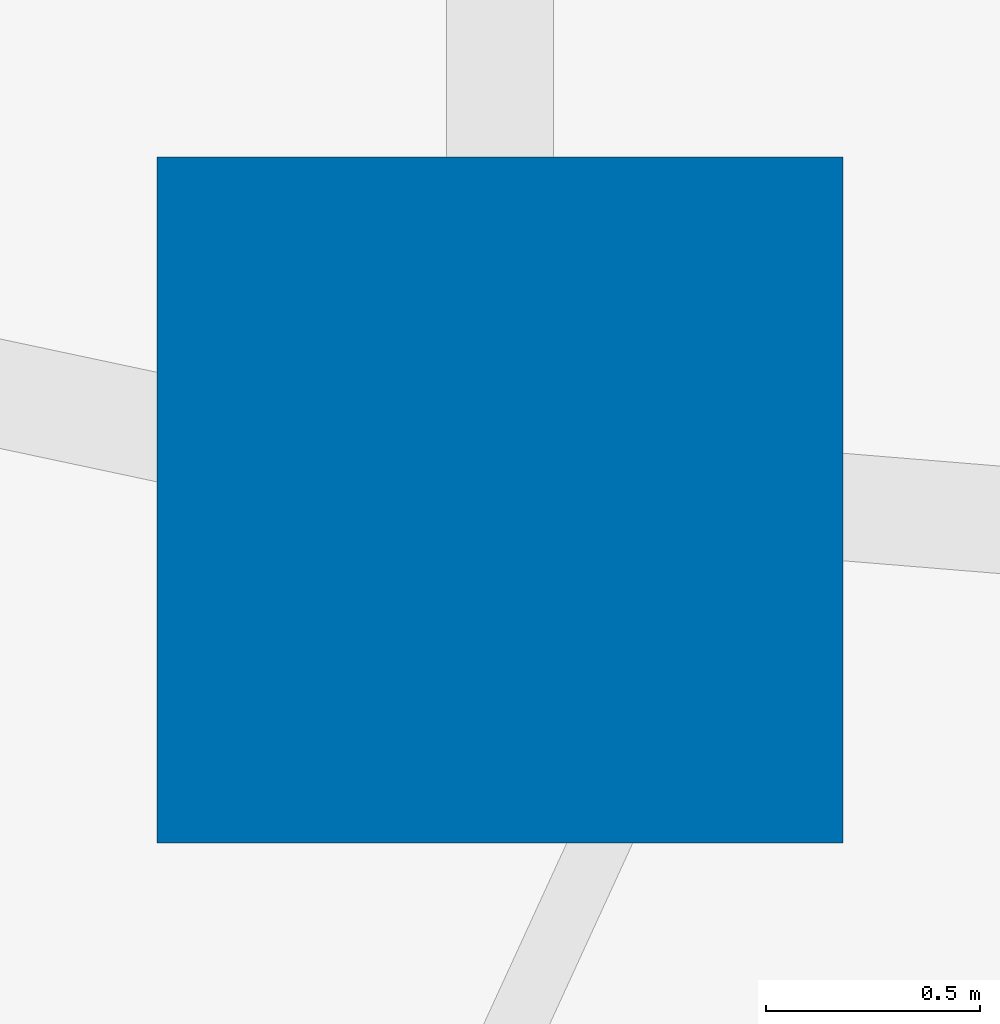
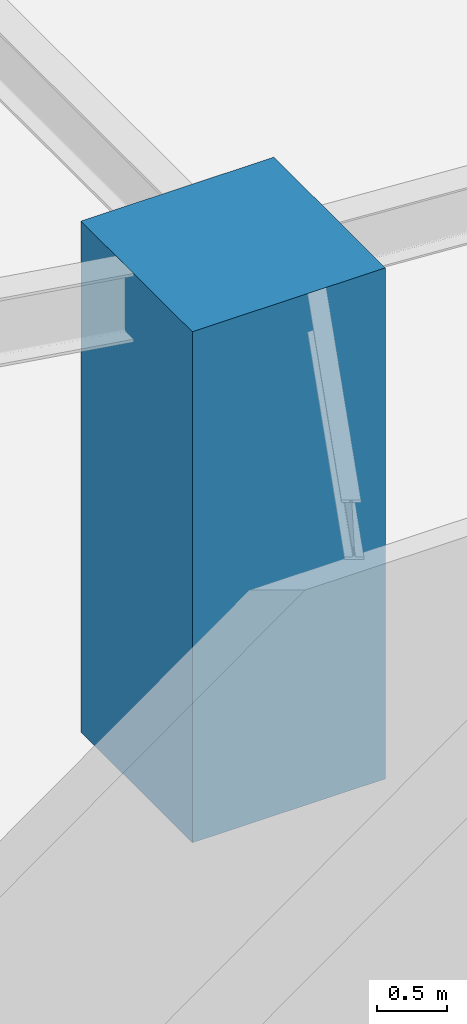
# One storey, part 4 of 31: 1 column.
"""IFC4 building model written with IfcOpenShell, lengths in metres."""

from ifc_helpers import new_model, si_unit, direction, frame, origin, origin_2d, place, context, subcontext, project, spatial, rectangle, extrude, source, transform, mapped, material, material_profile, profile_set, type_object, element, save


model = new_model("IFC4")

# Units and contexts
model_context = context("Model", 3, precision=1e-05, world=origin(), true_north=direction((0.0, 1.0)))
body_context = subcontext(model_context, "Body", "Model", "MODEL_VIEW")
ifc_project = project(units=[si_unit("LENGTHUNIT", "METRE"), si_unit("AREAUNIT", "SQUARE_METRE"), si_unit("VOLUMEUNIT", "CUBIC_METRE"), si_unit("PLANEANGLEUNIT", "RADIAN"), si_unit("MASSUNIT", "GRAM", prefix="KILO")], contexts=[model_context])

# Site, building, storey
site_placement = place(None, origin())
site = spatial("IfcSite", under=ifc_project, at=site_placement, CompositionType="ELEMENT")
building_placement = place(site_placement, origin())
building = spatial("IfcBuilding", under=site, at=building_placement, Name="Sahyath Konkavel Grand Hotel", CompositionType="ELEMENT")
storey_placement = place(building_placement, origin())
storey = spatial("IfcBuildingStorey", under=building, at=storey_placement, Name="L00", CompositionType="ELEMENT", Elevation=0.0)

# Column
ifc_material = material(Name="Concrete C70/85", Category="concrete")
ifc_material_profile = material_profile(ifc_material, rectangle(XDim=1.60009765625, YDim=1.60009765625, at=origin_2d()), Name="RC 1600x1600")
ifc_profile_set = profile_set([ifc_material_profile], Name="Concrete C70/85")
column_type = type_object("IfcColumnType", Name="COL-RC1600", PredefinedType="COLUMN", material=ifc_profile_set)
shared_shape = source(origin(), body_context, "Body", "SweptSolid", [
    extrude(rectangle(XDim=1.60009765625, YDim=1.60009765625, at=origin_2d()), origin(), (0.0, 0.0, 1.0), 4.47998046875),
])
column_placement = place(storey_placement, frame((22.199951171875, -5.949951171875, 0.0), z_axis=(0.0, 0.0, 1.0), x_axis=(1.0, 0.0, 0.0)))
element("IfcColumn", 1, at=column_placement, inside=storey, type_object=column_type, Name="L00 Ballroom Mega-Column MC-EA", PredefinedType="COLUMN", context=body_context, shape_type="MappedRepresentation", body=[
    mapped(shared_shape, transform((0.0, 0.0, 0.0), scale=1.0)),
])

save(model, "model.ifc")
